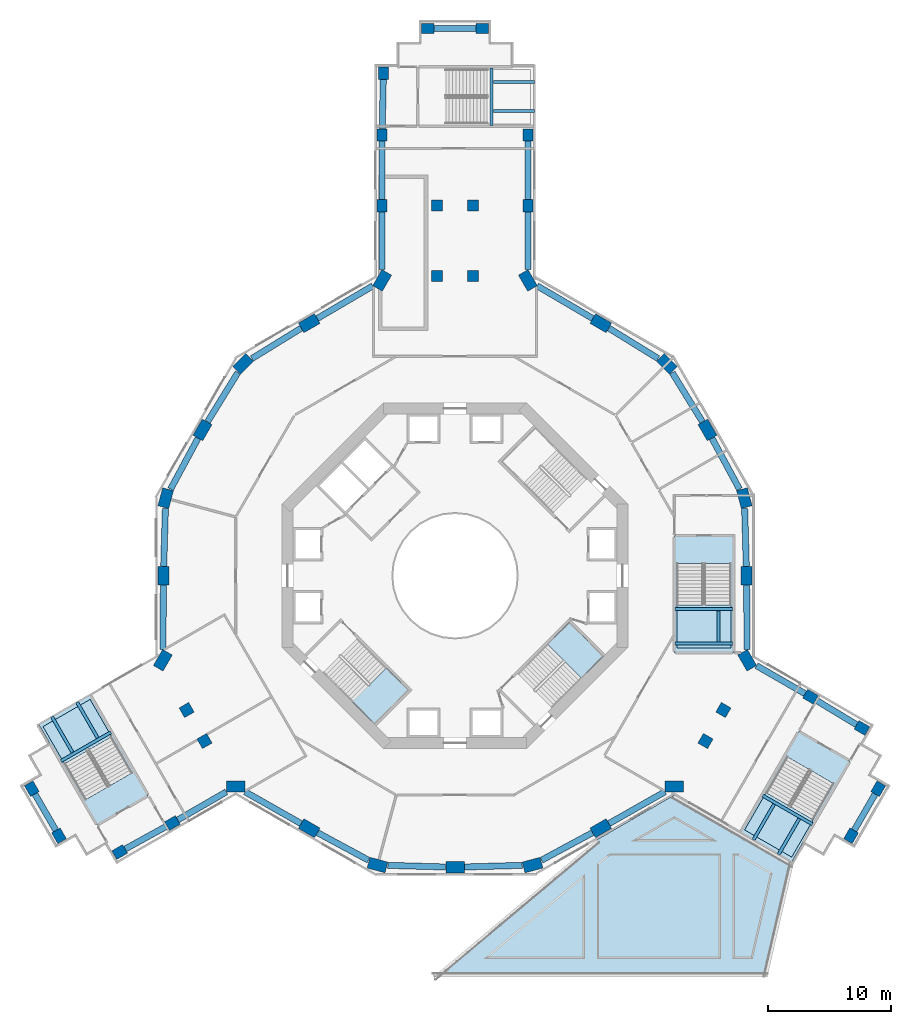
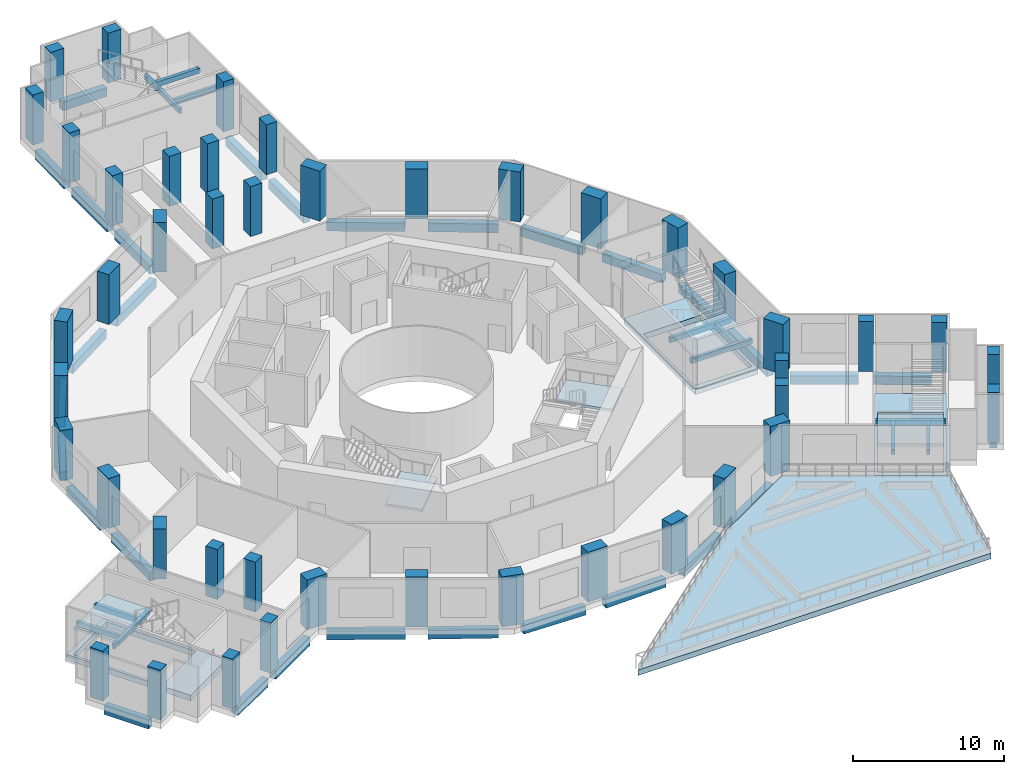
# One storey, part 1 of 21: 44 columns, 42 beams, 9 slabs, 5 elements without a shape of their own.
"""IFC4 building model written with IfcOpenShell, lengths in metres."""

from ifc_helpers import new_model, si_unit, direction, frame, origin, origin_2d, place, context, subcontext, project, spatial, polyline, rectangle, outline, extrude, material, layer, layer_set, material_profile, profile_set, type_object, element, aggregate, save


model = new_model("IFC4")

# Units and contexts
model_context = context("Model", 3, precision=1e-05, world=origin(), true_north=direction((0.0, 1.0)))
body_context = subcontext(model_context, "Body", "Model", "MODEL_VIEW")
ifc_project = project(units=[si_unit("LENGTHUNIT", "METRE"), si_unit("AREAUNIT", "SQUARE_METRE"), si_unit("VOLUMEUNIT", "CUBIC_METRE"), si_unit("PLANEANGLEUNIT", "RADIAN"), si_unit("MASSUNIT", "GRAM", prefix="KILO")], contexts=[model_context])

# Site, building, storey
site_placement = place(None, origin())
site = spatial("IfcSite", under=ifc_project, at=site_placement, CompositionType="ELEMENT")
building_placement = place(site_placement, origin())
building = spatial("IfcBuilding", under=site, at=building_placement, Name="Verdalira Terraces Hotel", CompositionType="ELEMENT")
storey_placement = place(building_placement, frame((0.0, 0.0, 19.0)))
storey = spatial("IfcBuildingStorey", under=building, at=storey_placement, Name="L03", CompositionType="ELEMENT", Elevation=19.0)

# Columns
ifc_material_1 = material(Name="Concrete C80", Category="concrete")
ifc_material_profile_1 = material_profile(ifc_material_1, rectangle(XDim=1.0, YDim=0.800049, at=origin_2d()), Name="RC 1000X800")
ifc_profile_set_1 = profile_set([ifc_material_profile_1], Name="Concrete C80")
column_type_1 = type_object("IfcColumnType", Name="Column RC 1000X800 C80", PredefinedType="COLUMN", material=ifc_profile_set_1)
for number, where, z_axis, x_axis, name in (
    (1, (5.899902, 29.972168, 0.0), (0.0, 0.0, 1.0), (0.0, 1.0, 0.0), "Column C01"),
    (2, (5.899902, 35.686035, 0.0), (0.0, 0.0, 1.0), (0.0, 1.0, 0.0), "Column C02"),
    (3, (-5.800049, 40.699951, 0.0), (0.0, 0.0, 1.0), (0.0, -1.0, 0.0), "Column C03"),
    (4, (-5.899902, 35.686035, 0.0), (0.0, 0.0, 1.0), (0.0, -1.0, 0.0), "Column C04"),
    (5, (-5.899902, 29.972168, 0.0), (0.0, 0.0, 1.0), (0.0, -1.0, 0.0), "Column C05"),
    (6, (-34.268799, -17.244629, 0.0), (0.0, 0.0, 1.0), (0.5, -0.866025404, 0.0), "Column C13"),
    (7, (-32.068848, -21.05542, 0.0), (0.0, 0.0, 1.0), (0.5, -0.866025404, 0.0), "Column C14"),
    (8, (-27.151123, -22.372803, 0.0), (0.0, 0.0, 1.0), (0.866025404, 0.5, 0.0), "Column C15"),
    (9, (-22.882812, -20.02417, 0.0), (0.0, 0.0, 1.0), (0.866025404, 0.5, 0.0), "Column C16"),
    (10, (32.068848, -21.05542, 0.0), (0.0, 0.0, 1.0), (0.5, 0.866025404, 0.0), "Column C24"),
    (11, (34.268799, -17.244629, 0.0), (0.0, 0.0, 1.0), (0.5, 0.866025404, 0.0), "Column C25"),
    (12, (32.951172, -12.327148, 0.0), (0.0, 0.0, 1.0), (-0.866025404, 0.5, 0.0), "Column C26"),
    (13, (28.782715, -9.804932, 0.0), (0.0, 0.0, 1.0), (-0.866025404, 0.5, 0.0), "Column C27"),
    (14, (2.199951, 44.300049, 0.0), (0.0, 0.0, 1.0), (-1.0, 0.0, 0.0), "Column C35"),
    (15, (-2.199951, 44.300049, 0.0), (0.0, 0.0, 1.0), (-1.0, 0.0, 0.0), "Column C36"),
):
    element("IfcColumn", number, at=place(storey_placement, frame(where, z_axis=z_axis, x_axis=x_axis)), inside=storey, type_object=column_type_1, Name=name, PredefinedType="COLUMN", context=body_context, shape_type="SweptSolid", body=[
        extrude(rectangle(XDim=1.0, YDim=0.800049, at=origin_2d()), origin(), (0.0, 0.0, 1.0), 4.050049),
    ])
ifc_material_2 = material(Name="Concrete C80", Category="concrete")
ifc_material_profile_2 = material_profile(ifc_material_2, rectangle(XDim=1.5, YDim=0.899902, at=origin_2d()), Name="RC 1500X900")
ifc_profile_set_2 = profile_set([ifc_material_profile_2], Name="Concrete C80")
column_type_2 = type_object("IfcColumnType", Name="Column RC 1500X900 C80", PredefinedType="COLUMN", material=ifc_profile_set_2)
for number, where, z_axis, x_axis, name in (
    (16, (-5.899902, 23.911865, 0.0), (0.0, 0.0, 1.0), (0.5, 0.866025404, 0.0), "Column C06"),
    (17, (-11.804199, 20.445312, 0.0), (0.0, 0.0, 1.0), (-0.866025404, -0.5, 0.0), "Column C07"),
    (18, (-17.150635, 17.150635, 0.0), (0.0, 0.0, 1.0), (0.707106781, 0.707106781, 0.0), "Column C08"),
    (19, (-20.445312, 11.804199, 0.0), (0.0, 0.0, 1.0), (-0.5, -0.866025404, 0.0), "Column C09"),
    (20, (-23.428223, 6.277588, 0.0), (0.0, 0.0, 1.0), (0.258819045, 0.965925826, 0.0), "Column C10"),
    (21, (-23.608398, 0.0, 0.0), (0.0, 0.0, 1.0), (0.0, -1.0, 0.0), "Column C11"),
    (22, (-23.658203, -6.846436, 0.0), (0.0, 0.0, 1.0), (0.5, 0.866025404, 0.0), "Column C12"),
    (23, (-17.758301, -17.06543, 0.0), (0.0, 0.0, 1.0), (-1.0, 0.0, 0.0), "Column C17"),
    (24, (-11.804199, -20.445312, 0.0), (0.0, 0.0, 1.0), (0.866025404, -0.5, 0.0), "Column C18"),
    (25, (-6.277588, -23.428223, 0.0), (0.0, 0.0, 1.0), (-0.965925826, 0.258819045, 0.0), "Column C19"),
    (26, (0.0, -23.608398, 0.0), (0.0, 0.0, 1.0), (1.0, 0.0, 0.0), "Column C20"),
    (27, (6.277588, -23.428223, 0.0), (0.0, 0.0, 1.0), (-0.965925826, -0.258819045, 0.0), "Column C21"),
    (28, (11.804199, -20.445312, 0.0), (0.0, 0.0, 1.0), (0.866025404, 0.5, 0.0), "Column C22"),
    (29, (17.758301, -17.06543, 0.0), (0.0, 0.0, 1.0), (-1.0, 0.0, 0.0), "Column C23"),
    (30, (23.658203, -6.846436, 0.0), (0.0, 0.0, 1.0), (0.5, -0.866025404, 0.0), "Column C28"),
    (31, (23.608398, 0.0, 0.0), (0.0, 0.0, 1.0), (0.0, 1.0, 0.0), "Column C29"),
    (32, (23.428223, 6.277588, 0.0), (0.0, 0.0, 1.0), (0.258819045, -0.965925826, 0.0), "Column C30"),
    (33, (20.445312, 11.804199, 0.0), (0.0, 0.0, 1.0), (-0.5, 0.866025404, 0.0), "Column C31"),
    (34, (17.150635, 17.150635, 0.0), (0.0, 0.0, 1.0), (0.707106781, -0.707106781, 0.0), "Column C32"),
    (35, (11.804199, 20.445312, 0.0), (0.0, 0.0, 1.0), (-0.866025404, 0.5, 0.0), "Column C33"),
    (36, (5.899902, 23.911865, 0.0), (0.0, 0.0, 1.0), (0.5, -0.866025404, 0.0), "Column C34"),
):
    element("IfcColumn", number, at=place(storey_placement, frame(where, z_axis=z_axis, x_axis=x_axis)), inside=storey, type_object=column_type_2, Name=name, PredefinedType="COLUMN", context=body_context, shape_type="SweptSolid", body=[
        extrude(rectangle(XDim=1.5, YDim=0.899902, at=origin_2d()), origin(), (0.0, 0.0, 1.0), 4.050049),
    ])
ifc_material_3 = material(Name="Concrete C80", Category="concrete")
ifc_material_profile_3 = material_profile(ifc_material_3, rectangle(XDim=0.899902, YDim=0.899902, at=origin_2d()), Name="RC 900X900")
ifc_profile_set_3 = profile_set([ifc_material_profile_3], Name="Concrete C80")
column_type_3 = type_object("IfcColumnType", Name="Column RC 900X900 C80", PredefinedType="COLUMN", material=ifc_profile_set_3)
for number, where, z_axis, x_axis, name in (
    (37, (1.449951, 24.258301, 0.0), (0.0, 0.0, 1.0), (0.0, 1.0, 0.0), "Column C37"),
    (38, (-1.449951, 24.258301, 0.0), (0.0, 0.0, 1.0), (0.0, 1.0, 0.0), "Column C38"),
    (39, (1.449951, 29.972168, 0.0), (0.0, 0.0, 1.0), (0.0, 1.0, 0.0), "Column C39"),
    (40, (-1.449951, 29.972168, 0.0), (0.0, 0.0, 1.0), (0.0, 1.0, 0.0), "Column C40"),
    (41, (-21.733398, -10.873291, 0.0), (0.0, 0.0, 1.0), (-0.866025404, -0.5, 0.0), "Column C41"),
    (42, (-20.283203, -13.38501, 0.0), (0.0, 0.0, 1.0), (-0.866025404, -0.5, 0.0), "Column C42"),
    (43, (20.283203, -13.38501, 0.0), (0.0, 0.0, 1.0), (0.866025404, -0.5, 0.0), "Column C43"),
    (44, (21.733398, -10.873291, 0.0), (0.0, 0.0, 1.0), (0.866025404, -0.5, 0.0), "Column C44"),
):
    element("IfcColumn", number, at=place(storey_placement, frame(where, z_axis=z_axis, x_axis=x_axis)), inside=storey, type_object=column_type_3, Name=name, PredefinedType="COLUMN", context=body_context, shape_type="SweptSolid", body=[
        extrude(rectangle(XDim=0.899902, YDim=0.899902, at=origin_2d()), origin(), (0.0, 0.0, 1.0), 4.050049),
    ])

# Beams
ifc_material_4 = material(Name="Concrete C70", Category="concrete")
ifc_material_profile_4 = material_profile(ifc_material_4, rectangle(XDim=0.5, YDim=0.699951, at=origin_2d()), Name="RC 500X700")
ifc_profile_set_4 = profile_set([ifc_material_profile_4], Name="Concrete C70")
beam_type_1 = type_object("IfcBeamType", Name="Spandrel beam RC 500X700 C70", PredefinedType="SPANDREL", material=ifc_profile_set_4)
beam_1_placement = place(storey_placement, frame((5.899902, 24.786377, -0.800049), z_axis=(0.0, 1.0, 0.0), x_axis=(-1.0, 0.0, 0.0)))
element("IfcBeam", 45, at=beam_1_placement, inside=storey, type_object=beam_type_1, Name="Spandrel beam B01", PredefinedType="SPANDREL", context=body_context, shape_type="SweptSolid", body=[
    extrude(rectangle(XDim=0.5, YDim=0.699951, at=origin_2d()), origin(), (0.0, 0.0, 1.0), 4.685791),
])
beam_2_placement = place(storey_placement, frame((5.899902, 30.472168, -0.800049), z_axis=(0.0, 1.0, 0.0), x_axis=(-1.0, 0.0, 0.0)))
element("IfcBeam", 46, at=beam_2_placement, inside=storey, type_object=beam_type_1, Name="Spandrel beam B02", PredefinedType="SPANDREL", context=body_context, shape_type="SweptSolid", body=[
    extrude(rectangle(XDim=0.5, YDim=0.699951, at=origin_2d()), origin(), (0.0, 0.0, 1.0), 4.713867),
])
beam_3_placement = place(storey_placement, frame((1.699951, 44.300049, -0.800049), z_axis=(-1.0, 0.0, 0.0), x_axis=(0.0, -1.0, 0.0)))
element("IfcBeam", 47, at=beam_3_placement, inside=storey, type_object=beam_type_1, Name="Spandrel beam B03", PredefinedType="SPANDREL", context=body_context, shape_type="SweptSolid", body=[
    extrude(rectangle(XDim=0.5, YDim=0.699951, at=origin_2d()), origin(), (0.0, 0.0, 1.0), 3.399902),
])
beam_4_placement = place(storey_placement, frame((-5.810059, 40.192139, -0.800049), z_axis=(-0.019963048, -0.999800719, 0.0), x_axis=(0.999800719, -0.019963048, 0.0)))
element("IfcBeam", 48, at=beam_4_placement, inside=storey, type_object=beam_type_1, Name="Spandrel beam B04", PredefinedType="SPANDREL", context=body_context, shape_type="SweptSolid", body=[
    extrude(rectangle(XDim=0.5, YDim=0.699951, at=origin_2d()), origin(), (0.0, 0.0, 1.0), 3.999023),
])
beam_5_placement = place(storey_placement, frame((-5.899902, 35.186035, -0.800049), z_axis=(0.0, -1.0, 0.0), x_axis=(1.0, 0.0, 0.0)))
element("IfcBeam", 49, at=beam_5_placement, inside=storey, type_object=beam_type_1, Name="Spandrel beam B05", PredefinedType="SPANDREL", context=body_context, shape_type="SweptSolid", body=[
    extrude(rectangle(XDim=0.5, YDim=0.699951, at=origin_2d()), origin(), (0.0, 0.0, 1.0), 4.713867),
])
beam_6_placement = place(storey_placement, frame((-5.899902, 29.472168, -0.800049), z_axis=(0.0, -1.0, 0.0), x_axis=(1.0, 0.0, 0.0)))
element("IfcBeam", 50, at=beam_6_placement, inside=storey, type_object=beam_type_1, Name="Spandrel beam B06", PredefinedType="SPANDREL", context=body_context, shape_type="SweptSolid", body=[
    extrude(rectangle(XDim=0.5, YDim=0.699951, at=origin_2d()), origin(), (0.0, 0.0, 1.0), 4.685791),
])
beam_7_placement = place(storey_placement, frame((-6.654053, 23.469238, -0.800049), z_axis=(-0.862353622, -0.506306458, 0.0), x_axis=(0.506306458, -0.862353622, 0.0)))
element("IfcBeam", 51, at=beam_7_placement, inside=storey, type_object=beam_type_1, Name="Spandrel beam B07", PredefinedType="SPANDREL", context=body_context, shape_type="SweptSolid", body=[
    extrude(rectangle(XDim=0.5, YDim=0.699951, at=origin_2d()), origin(), (0.0, 0.0, 1.0), 5.21875),
])
for number, where, z_axis, x_axis, name in (
    (52, (-12.453369, 20.04541, -0.800049), (-0.851334227, -0.524623706, 0.0), (0.524623706, -0.851334227, 0.0), "Spandrel beam B08"),
    (53, (-17.588135, 16.440918, -0.800049), (-0.524623706, -0.851334227, 0.0), (0.851334227, -0.524623706, 0.0), "Spandrel beam B09"),
    (54, (-20.807617, 11.133057, -0.800049), (-0.474994751, -0.879988629, 0.0), (0.879988629, -0.474994751, 0.0), "Spandrel beam B10"),
):
    element("IfcBeam", number, at=place(storey_placement, frame(where, z_axis=z_axis, x_axis=x_axis)), inside=storey, type_object=beam_type_1, Name=name, PredefinedType="SPANDREL", context=body_context, shape_type="SweptSolid", body=[
        extrude(rectangle(XDim=0.5, YDim=0.699951, at=origin_2d()), origin(), (0.0, 0.0, 1.0), 4.683838),
    ])
beam_8_placement = place(storey_placement, frame((-23.452148, 5.444336, -0.800049), z_axis=(-0.028666908, -0.99958902, 0.0), x_axis=(0.99958902, -0.028666908, 0.0)))
element("IfcBeam", 55, at=beam_8_placement, inside=storey, type_object=beam_type_1, Name="Spandrel beam B11", PredefinedType="SPANDREL", context=body_context, shape_type="SweptSolid", body=[
    extrude(rectangle(XDim=0.5, YDim=0.699951, at=origin_2d()), origin(), (0.0, 0.0, 1.0), 4.684082),
])
beam_9_placement = place(storey_placement, frame((-23.61377, -0.753174, -0.800049), z_axis=(-0.00729771, -0.999973371, 0.0), x_axis=(0.999973371, -0.00729771, 0.0)))
element("IfcBeam", 56, at=beam_9_placement, inside=storey, type_object=beam_type_1, Name="Spandrel beam B12", PredefinedType="SPANDREL", context=body_context, shape_type="SweptSolid", body=[
    extrude(rectangle(XDim=0.5, YDim=0.699951, at=origin_2d()), origin(), (0.0, 0.0, 1.0), 5.218994),
])
beam_10_placement = place(storey_placement, frame((-34.018799, -17.677734, -0.800049), z_axis=(0.499977295, -0.866038512, 0.0), x_axis=(0.866038512, 0.499977295, 0.0)))
element("IfcBeam", 57, at=beam_10_placement, inside=storey, type_object=beam_type_1, Name="Spandrel beam B13", PredefinedType="SPANDREL", context=body_context, shape_type="SweptSolid", body=[
    extrude(rectangle(XDim=0.5, YDim=0.699951, at=origin_2d()), origin(), (0.0, 0.0, 1.0), 3.400146),
])
beam_11_placement = place(storey_placement, frame((-26.705811, -22.12793, -0.800049), z_axis=(0.876103585, 0.482122918, 0.0), x_axis=(-0.482122918, 0.876103585, 0.0)))
element("IfcBeam", 58, at=beam_11_placement, inside=storey, type_object=beam_type_1, Name="Spandrel beam B14", PredefinedType="SPANDREL", context=body_context, shape_type="SweptSolid", body=[
    extrude(rectangle(XDim=0.5, YDim=0.699951, at=origin_2d()), origin(), (0.0, 0.0, 1.0), 3.855713),
])
beam_12_placement = place(storey_placement, frame((-22.449707, -19.77417, -0.800049), z_axis=(0.866011958, 0.500023288, 0.0), x_axis=(-0.500023288, 0.866011958, 0.0)))
element("IfcBeam", 59, at=beam_12_placement, inside=storey, type_object=beam_type_1, Name="Spandrel beam B15", PredefinedType="SPANDREL", context=body_context, shape_type="SweptSolid", body=[
    extrude(rectangle(XDim=0.5, YDim=0.699951, at=origin_2d()), origin(), (0.0, 0.0, 1.0), 4.542725),
])
beam_13_placement = place(storey_placement, frame((-16.997803, -17.497314, -0.800049), z_axis=(0.869667461, -0.493638034, 0.0), x_axis=(0.493638034, 0.869667461, 0.0)))
element("IfcBeam", 60, at=beam_13_placement, inside=storey, type_object=beam_type_1, Name="Spandrel beam B16", PredefinedType="SPANDREL", context=body_context, shape_type="SweptSolid", body=[
    extrude(rectangle(XDim=0.5, YDim=0.699951, at=origin_2d()), origin(), (0.0, 0.0, 1.0), 5.21875),
])
beam_14_placement = place(storey_placement, frame((-11.133057, -20.807617, -0.800049), z_axis=(0.879988629, -0.474994751, 0.0), x_axis=(0.474994751, 0.879988629, 0.0)))
element("IfcBeam", 61, at=beam_14_placement, inside=storey, type_object=beam_type_1, Name="Spandrel beam B17", PredefinedType="SPANDREL", context=body_context, shape_type="SweptSolid", body=[
    extrude(rectangle(XDim=0.5, YDim=0.699951, at=origin_2d()), origin(), (0.0, 0.0, 1.0), 4.683838),
])
for number, where, z_axis, x_axis, name in (
    (62, (-5.444336, -23.452148, -0.800049), (0.99958902, -0.028666908, 0.0), (0.028666908, 0.99958902, 0.0), "Spandrel beam B18"),
    (63, (0.762207, -23.586426, -0.800049), (0.99958902, 0.028666908, 0.0), (-0.028666908, 0.99958902, 0.0), "Spandrel beam B19"),
):
    element("IfcBeam", number, at=place(storey_placement, frame(where, z_axis=z_axis, x_axis=x_axis)), inside=storey, type_object=beam_type_1, Name=name, PredefinedType="SPANDREL", context=body_context, shape_type="SweptSolid", body=[
        extrude(rectangle(XDim=0.5, YDim=0.699951, at=origin_2d()), origin(), (0.0, 0.0, 1.0), 4.684082),
    ])
beam_15_placement = place(storey_placement, frame((7.01123, -23.032471, -0.800049), z_axis=(0.879988629, 0.474994751, 0.0), x_axis=(-0.474994751, 0.879988629, 0.0)))
element("IfcBeam", 64, at=beam_15_placement, inside=storey, type_object=beam_type_1, Name="Spandrel beam B20", PredefinedType="SPANDREL", context=body_context, shape_type="SweptSolid", body=[
    extrude(rectangle(XDim=0.5, YDim=0.699951, at=origin_2d()), origin(), (0.0, 0.0, 1.0), 4.683838),
])
beam_16_placement = place(storey_placement, frame((12.459229, -20.073486, -0.800049), z_axis=(0.869667461, 0.493638034, 0.0), x_axis=(-0.493638034, 0.869667461, 0.0)))
element("IfcBeam", 65, at=beam_16_placement, inside=storey, type_object=beam_type_1, Name="Spandrel beam B21", PredefinedType="SPANDREL", context=body_context, shape_type="SweptSolid", body=[
    extrude(rectangle(XDim=0.5, YDim=0.699951, at=origin_2d()), origin(), (0.0, 0.0, 1.0), 5.21875),
])
beam_17_placement = place(storey_placement, frame((32.318848, -20.622314, -0.800049), z_axis=(0.499977295, 0.866038512, 0.0), x_axis=(-0.866038512, 0.499977295, 0.0)))
element("IfcBeam", 66, at=beam_17_placement, inside=storey, type_object=beam_type_1, Name="Spandrel beam B22", PredefinedType="SPANDREL", context=body_context, shape_type="SweptSolid", body=[
    extrude(rectangle(XDim=0.5, YDim=0.699951, at=origin_2d()), origin(), (0.0, 0.0, 1.0), 3.400146),
])
beam_18_placement = place(storey_placement, frame((32.516357, -12.063965, -0.800049), z_axis=(-0.855593073, 0.517649006, 0.0), x_axis=(-0.517649006, -0.855593073, 0.0)))
element("IfcBeam", 67, at=beam_18_placement, inside=storey, type_object=beam_type_1, Name="Spandrel beam B23", PredefinedType="SPANDREL", context=body_context, shape_type="SweptSolid", body=[
    extrude(rectangle(XDim=0.5, YDim=0.699951, at=origin_2d()), origin(), (0.0, 0.0, 1.0), 3.855713),
])
beam_19_placement = place(storey_placement, frame((28.349854, -9.554932, -0.800049), z_axis=(-0.86603523, 0.49998298, 0.0), x_axis=(-0.49998298, -0.86603523, 0.0)))
element("IfcBeam", 68, at=beam_19_placement, inside=storey, type_object=beam_type_1, Name="Spandrel beam B24", PredefinedType="SPANDREL", context=body_context, shape_type="SweptSolid", body=[
    extrude(rectangle(XDim=0.5, YDim=0.699951, at=origin_2d()), origin(), (0.0, 0.0, 1.0), 4.542725),
])
beam_20_placement = place(storey_placement, frame((23.651855, -5.971924, -0.800049), z_axis=(-0.00729771, 0.999973371, 0.0), x_axis=(-0.999973371, -0.00729771, 0.0)))
element("IfcBeam", 69, at=beam_20_placement, inside=storey, type_object=beam_type_1, Name="Spandrel beam B25", PredefinedType="SPANDREL", context=body_context, shape_type="SweptSolid", body=[
    extrude(rectangle(XDim=0.5, YDim=0.699951, at=origin_2d()), origin(), (0.0, 0.0, 1.0), 5.218994),
])
beam_21_placement = place(storey_placement, frame((23.586426, 0.762207, -0.800049), z_axis=(-0.028666908, 0.99958902, 0.0), x_axis=(-0.99958902, -0.028666908, 0.0)))
element("IfcBeam", 70, at=beam_21_placement, inside=storey, type_object=beam_type_1, Name="Spandrel beam B26", PredefinedType="SPANDREL", context=body_context, shape_type="SweptSolid", body=[
    extrude(rectangle(XDim=0.5, YDim=0.699951, at=origin_2d()), origin(), (0.0, 0.0, 1.0), 4.684082),
])
for number, where, z_axis, x_axis, name in (
    (71, (23.032471, 7.01123, -0.800049), (-0.474994751, 0.879988629, 0.0), (-0.879988629, -0.474994751, 0.0), "Spandrel beam B27"),
    (72, (20.04541, 12.453369, -0.800049), (-0.524623706, 0.851334227, 0.0), (-0.851334227, -0.524623706, 0.0), "Spandrel beam B28"),
    (73, (16.440918, 17.588135, -0.800049), (-0.851334227, 0.524623706, 0.0), (-0.524623706, -0.851334227, 0.0), "Spandrel beam B29"),
):
    element("IfcBeam", number, at=place(storey_placement, frame(where, z_axis=z_axis, x_axis=x_axis)), inside=storey, type_object=beam_type_1, Name=name, PredefinedType="SPANDREL", context=body_context, shape_type="SweptSolid", body=[
        extrude(rectangle(XDim=0.5, YDim=0.699951, at=origin_2d()), origin(), (0.0, 0.0, 1.0), 4.683838),
    ])
beam_22_placement = place(storey_placement, frame((11.154541, 20.826904, -0.800049), z_axis=(-0.862353622, 0.506306458, 0.0), x_axis=(-0.506306458, -0.862353622, 0.0)))
element("IfcBeam", 74, at=beam_22_placement, inside=storey, type_object=beam_type_1, Name="Spandrel beam B30", PredefinedType="SPANDREL", context=body_context, shape_type="SweptSolid", body=[
    extrude(rectangle(XDim=0.5, YDim=0.699951, at=origin_2d()), origin(), (0.0, 0.0, 1.0), 5.21875),
])
ifc_material_5 = material(Name="Concrete C40", Category="concrete")
ifc_material_profile_5 = material_profile(ifc_material_5, rectangle(XDim=0.25, YDim=0.399902, at=origin_2d()), Name="RC 250X400")
ifc_profile_set_5 = profile_set([ifc_material_profile_5], Name="Concrete C40")
beam_type_2 = type_object("IfcBeamType", Name="Stair landing beam RC 250X400 Concrete C40", PredefinedType="BEAM", material=ifc_profile_set_5)
beam_23_placement = place(storey_placement, frame((2.958008, 36.469971, 1.850098), z_axis=(0.0, 1.0, 0.0), x_axis=(-1.0, 0.0, 0.0)))
element("IfcBeam", 75, at=beam_23_placement, inside=storey, type_object=beam_type_2, Name="Stair landing beam PS1-L03-1", PredefinedType="BEAM", context=body_context, shape_type="SweptSolid", body=[
    extrude(rectangle(XDim=0.25, YDim=0.399902, at=origin_2d()), origin(), (0.0, 0.0, 1.0), 4.659912),
])
for number, where, z_axis, x_axis, name in (
    (76, (3.102539, 39.975098, 1.850098), (1.0, 0.0, 0.0), (0.0, 1.0, 0.0), "Stair landing beam PS1-L03-2"),
    (77, (3.102539, 37.625, 1.850098), (1.0, 0.0, 0.0), (0.0, 1.0, 0.0), "Stair landing beam PS1-L03-3"),
):
    element("IfcBeam", number, at=place(storey_placement, frame(where, z_axis=z_axis, x_axis=x_axis)), inside=storey, type_object=beam_type_2, Name=name, PredefinedType="BEAM", context=body_context, shape_type="SweptSolid", body=[
        extrude(rectangle(XDim=0.25, YDim=0.399902, at=origin_2d()), origin(), (0.0, 0.0, 1.0), 3.327393),
    ])
beam_24_placement = place(storey_placement, frame((-27.866699, -12.67334, 1.850098), z_axis=(-0.866029426, -0.499993034, 0.0), x_axis=(0.499993034, -0.866029426, 0.0)))
element("IfcBeam", 78, at=beam_24_placement, inside=storey, type_object=beam_type_2, Name="Stair landing beam PS2-L03-1", PredefinedType="BEAM", context=body_context, shape_type="SweptSolid", body=[
    extrude(rectangle(XDim=0.25, YDim=0.399902, at=origin_2d()), origin(), (0.0, 0.0, 1.0), 4.660156),
])
for number, where, z_axis, x_axis, name in (
    (79, (-30.974365, -14.300781, 1.850098), (-0.499997657, 0.866026756, 0.0), (-0.866026756, -0.499997657, 0.0), "Stair landing beam PS2-L03-2"),
    (80, (-28.939209, -13.125732, 1.850098), (-0.499997657, 0.866026756, 0.0), (-0.866026756, -0.499997657, 0.0), "Stair landing beam PS2-L03-3"),
):
    element("IfcBeam", number, at=place(storey_placement, frame(where, z_axis=z_axis, x_axis=x_axis)), inside=storey, type_object=beam_type_2, Name=name, PredefinedType="BEAM", context=body_context, shape_type="SweptSolid", body=[
        extrude(rectangle(XDim=0.25, YDim=0.399902, at=origin_2d()), origin(), (0.0, 0.0, 1.0), 3.327637),
    ])
beam_25_placement = place(storey_placement, frame((24.908691, -17.796631, 1.850098), z_axis=(0.866029426, -0.499993034, 0.0), x_axis=(0.499993034, 0.866029426, 0.0)))
element("IfcBeam", 81, at=beam_25_placement, inside=storey, type_object=beam_type_2, Name="Stair landing beam PS3-L03-1", PredefinedType="BEAM", context=body_context, shape_type="SweptSolid", body=[
    extrude(rectangle(XDim=0.25, YDim=0.399902, at=origin_2d()), origin(), (0.0, 0.0, 1.0), 4.660156),
])
beam_26_placement = place(storey_placement, frame((27.87207, -19.674316, 1.850098), z_axis=(-0.500029428, -0.866008413, 0.0), x_axis=(0.866008413, -0.500029428, 0.0)))
element("IfcBeam", 82, at=beam_26_placement, inside=storey, type_object=beam_type_2, Name="Stair landing beam PS3-L03-2", PredefinedType="BEAM", context=body_context, shape_type="SweptSolid", body=[
    extrude(rectangle(XDim=0.25, YDim=0.399902, at=origin_2d()), origin(), (0.0, 0.0, 1.0), 3.327393),
])
beam_27_placement = place(storey_placement, frame((25.836914, -18.499268, 1.850098), z_axis=(-0.499997657, -0.866026756, 0.0), x_axis=(0.866026756, -0.499997657, 0.0)))
element("IfcBeam", 83, at=beam_27_placement, inside=storey, type_object=beam_type_2, Name="Stair landing beam PS3-L03-3", PredefinedType="BEAM", context=body_context, shape_type="SweptSolid", body=[
    extrude(rectangle(XDim=0.25, YDim=0.399902, at=origin_2d()), origin(), (0.0, 0.0, 1.0), 3.327637),
])
for number, where, z_axis, x_axis, name in (
    (84, (17.828369, -2.708008, 1.850098), (1.0, 0.0, 0.0), (0.0, 1.0, 0.0), "Stair landing beam PS4-L03-1"),
    (85, (17.828369, -5.501465, 1.850098), (1.0, 0.0, 0.0), (0.0, 1.0, 0.0), "Stair landing beam PS4-L03-2"),
):
    element("IfcBeam", number, at=place(storey_placement, frame(where, z_axis=z_axis, x_axis=x_axis)), inside=storey, type_object=beam_type_2, Name=name, PredefinedType="BEAM", context=body_context, shape_type="SweptSolid", body=[
        extrude(rectangle(XDim=0.25, YDim=0.399902, at=origin_2d()), origin(), (0.0, 0.0, 1.0), 4.659912),
    ])
beam_28_placement = place(storey_placement, frame((21.333252, -2.852539, 1.850098), z_axis=(0.0, -1.0, 0.0), x_axis=(1.0, 0.0, 0.0)))
element("IfcBeam", 86, at=beam_28_placement, inside=storey, type_object=beam_type_2, Name="Stair landing beam PS4-L03-3", PredefinedType="BEAM", context=body_context, shape_type="SweptSolid", body=[
    extrude(rectangle(XDim=0.25, YDim=0.399902, at=origin_2d()), origin(), (0.0, 0.0, 1.0), 2.504395),
])

# Stair, slab
ifc_material_6 = material(Name="Concrete C40", Category="concrete")
stair_type_1 = type_object("IfcStairType", Name="Core stair 26 risers 1900 mm wide", PredefinedType="HALF_TURN_STAIR", material=ifc_material_6)
stair_1_placement = place(storey_placement, origin())
stair_1 = element("IfcStair", 87, at=stair_1_placement, inside=storey, type_object=stair_type_1, Name="L03 Exit stair ST2", PredefinedType="HALF_TURN_STAIR")
ifc_material_7 = material(Name="Concrete C40", Category="concrete")
ifc_layer_1 = layer(ifc_material_7, 0.199951171875)
ifc_layer_set_1 = layer_set([ifc_layer_1], Name="Core stair landing 200 mm")
slab_type_1 = type_object("IfcSlabType", Name="Core stair landing 200 mm", PredefinedType="LANDING", material=ifc_layer_set_1)
slab_1_placement = place(storey_placement, frame((0.0, 0.0, 2.050049)))
slab_1 = element("IfcSlab", 88, at=slab_1_placement, type_object=slab_type_1, Name="ST2 landing 1", PredefinedType="LANDING", context=body_context, shape_type="SweptSolid", body=[
    extrude(outline(polyline([(-8.301758, -10.224365), (-6.505371, -12.020752), (-3.747559, -9.263184), (-5.544189, -7.466797), (-8.301758, -10.224365)])), origin(), (0.0, 0.0, 1.0), 0.199951),
])
aggregate(stair_1, [slab_1])

stair_2_placement = place(storey_placement, origin())
stair_2 = element("IfcStair", 89, at=stair_2_placement, inside=storey, type_object=stair_type_1, Name="L03 Exit stair ST3", PredefinedType="HALF_TURN_STAIR")
slab_2_placement = place(storey_placement, frame((0.0, 0.0, 2.050049)))
slab_2 = element("IfcSlab", 90, at=slab_2_placement, type_object=slab_type_1, Name="ST3 landing 1", PredefinedType="LANDING", context=body_context, shape_type="SweptSolid", body=[
    extrude(outline(polyline([(10.224365, -8.301758), (12.020752, -6.505371), (9.263184, -3.747559), (7.466797, -5.544189), (10.224365, -8.301758)])), origin(), (0.0, 0.0, 1.0), 0.199951),
])
aggregate(stair_2, [slab_2])

ifc_material_8 = material(Name="Concrete C40", Category="concrete")
stair_type_2 = type_object("IfcStairType", Name="Podium stair 26 risers", PredefinedType="HALF_TURN_STAIR", material=ifc_material_8)
stair_3_placement = place(storey_placement, origin())
stair_3 = element("IfcStair", 91, at=stair_3_placement, inside=storey, type_object=stair_type_2, Name="L03 Exit stair PS2", PredefinedType="HALF_TURN_STAIR")
ifc_material_9 = material(Name="Concrete C40", Category="concrete")
ifc_layer_2 = layer(ifc_material_9, 0.199951171875)
ifc_layer_set_2 = layer_set([ifc_layer_2], Name="Podium stair landing 200 mm")
slab_type_2 = type_object("IfcSlabType", Name="Podium stair landing 200 mm", PredefinedType="LANDING", material=ifc_layer_set_2)
slab_3_placement = place(storey_placement, frame((0.0, 0.0, 2.050049)))
slab_3 = element("IfcSlab", 92, at=slab_3_placement, type_object=slab_type_2, Name="PS2 landing 1", PredefinedType="LANDING", context=body_context, shape_type="SweptSolid", body=[
    extrude(outline(polyline([(-33.362793, -12.216797), (-31.616211, -15.242188), (-27.802979, -13.040771), (-29.549805, -10.015137), (-33.362793, -12.216797)])), origin(), (0.0, 0.0, 1.0), 0.199951),
])
aggregate(stair_3, [slab_3])

stair_4_placement = place(storey_placement, origin())
stair_4 = element("IfcStair", 93, at=stair_4_placement, inside=storey, type_object=stair_type_2, Name="L03 Exit stair PS3", PredefinedType="HALF_TURN_STAIR")
slab_4_placement = place(storey_placement, frame((0.0, 0.0, 2.050049)))
slab_4 = element("IfcSlab", 94, at=slab_4_placement, type_object=slab_type_2, Name="PS3 landing 1", PredefinedType="LANDING", context=body_context, shape_type="SweptSolid", body=[
    extrude(outline(polyline([(27.261475, -22.784912), (29.008301, -19.759277), (25.195068, -17.557861), (23.448242, -20.583252), (27.261475, -22.784912)])), origin(), (0.0, 0.0, 1.0), 0.199951),
])
aggregate(stair_4, [slab_4])

stair_5_placement = place(storey_placement, origin())
stair_5 = element("IfcStair", 95, at=stair_5_placement, inside=storey, type_object=stair_type_2, Name="L03 Exit stair PS4", PredefinedType="HALF_TURN_STAIR")
slab_5_placement = place(storey_placement, frame((0.0, 0.0, 2.050049)))
slab_5 = element("IfcSlab", 96, at=slab_5_placement, type_object=slab_type_2, Name="PS4 landing 1", PredefinedType="LANDING", context=body_context, shape_type="SweptSolid", body=[
    extrude(outline(polyline([(22.359863, -5.851562), (22.359863, -2.35791), (17.956787, -2.35791), (17.956787, -5.851562), (22.359863, -5.851562)])), origin(), (0.0, 0.0, 1.0), 0.199951),
])
aggregate(stair_5, [slab_5])

# Slabs
ifc_material_10 = material(Name="Concrete C40", Category="concrete")
ifc_layer_3 = layer(ifc_material_10, 0.449951171875)
ifc_layer_set_3 = layer_set([ifc_layer_3], Name="Stair enclosure floor slab 450 mm")
slab_type_3 = type_object("IfcSlabType", Name="Stair enclosure floor slab 450 mm", PredefinedType="FLOOR", material=ifc_layer_set_3)
slab_6_placement = place(storey_placement, frame((0.0, 0.0, -0.449951)))
element("IfcSlab", 97, at=slab_6_placement, inside=storey, type_object=slab_type_3, Name="Stair PS2 floor slab", PredefinedType="FLOOR", context=body_context, shape_type="SweptSolid", body=[
    extrude(outline(polyline([(-24.827881, -17.797852), (-28.983887, -20.19751), (-33.733643, -11.970703), (-29.577637, -9.571045), (-24.827881, -17.797852)]), holes=[polyline([(-29.934326, -18.144043), (-26.130859, -15.947998), (-29.551758, -10.022705), (-33.355469, -12.21875), (-29.934326, -18.144043)])]), origin(), (0.0, 0.0, 1.0), 0.449951),
])
slab_7_placement = place(storey_placement, frame((0.0, 0.0, -0.449951)))
element("IfcSlab", 98, at=slab_7_placement, inside=storey, type_object=slab_type_3, Name="Stair PS3 floor slab", PredefinedType="FLOOR", context=body_context, shape_type="SweptSolid", body=[
    extrude(outline(polyline([(27.827393, -12.602539), (31.983398, -15.002197), (27.233643, -23.229004), (23.077637, -20.829346), (27.827393, -12.602539)]), holes=[polyline([(30.68042, -16.851807), (26.876709, -14.656006), (23.455811, -20.581299), (27.259521, -22.777344), (30.68042, -16.851807)])]), origin(), (0.0, 0.0, 1.0), 0.449951),
])
slab_8_placement = place(storey_placement, frame((0.0, 0.0, -0.449951)))
element("IfcSlab", 99, at=slab_8_placement, inside=storey, type_object=slab_type_3, Name="Stair PS4 floor slab", PredefinedType="FLOOR", context=body_context, shape_type="SweptSolid", body=[
    extrude(outline(polyline([(17.758789, 3.249512), (22.557861, 3.249512), (22.557861, -6.249512), (17.758789, -6.249512), (17.758789, 3.249512)]), holes=[polyline([(22.354248, 0.996094), (17.962402, 0.996094), (17.962402, -5.845947), (22.354248, -5.845947), (22.354248, 0.996094)])]), origin(), (0.0, 0.0, 1.0), 0.449951),
])
ifc_material_11 = material(Name="Concrete C40", Category="concrete")
ifc_layer_4 = layer(ifc_material_11, 0.449951171875)
ifc_layer_set_4 = layer_set([ifc_layer_4], Name="Terrace slab with planting beds 450 mm")
slab_type_4 = type_object("IfcSlabType", Name="Terrace slab with planting beds 450 mm", PredefinedType="ROOF", material=ifc_layer_set_4)
slab_9_placement = place(storey_placement, frame((0.0, 0.0, -0.449951)))
element("IfcSlab", 100, at=slab_9_placement, inside=storey, type_object=slab_type_4, Name="Terrace slab with planting beds", PredefinedType="ROOF", context=body_context, shape_type="SweptSolid", body=[
    extrude(outline(polyline([(25.286865, -32.5), (-1.772461, -32.5), (11.467773, -21.390137), (17.758301, -17.758301), (27.407227, -23.329102), (25.286865, -32.5)])), origin(), (0.0, 0.0, 1.0), 0.449951),
])

save(model, "model.ifc")
